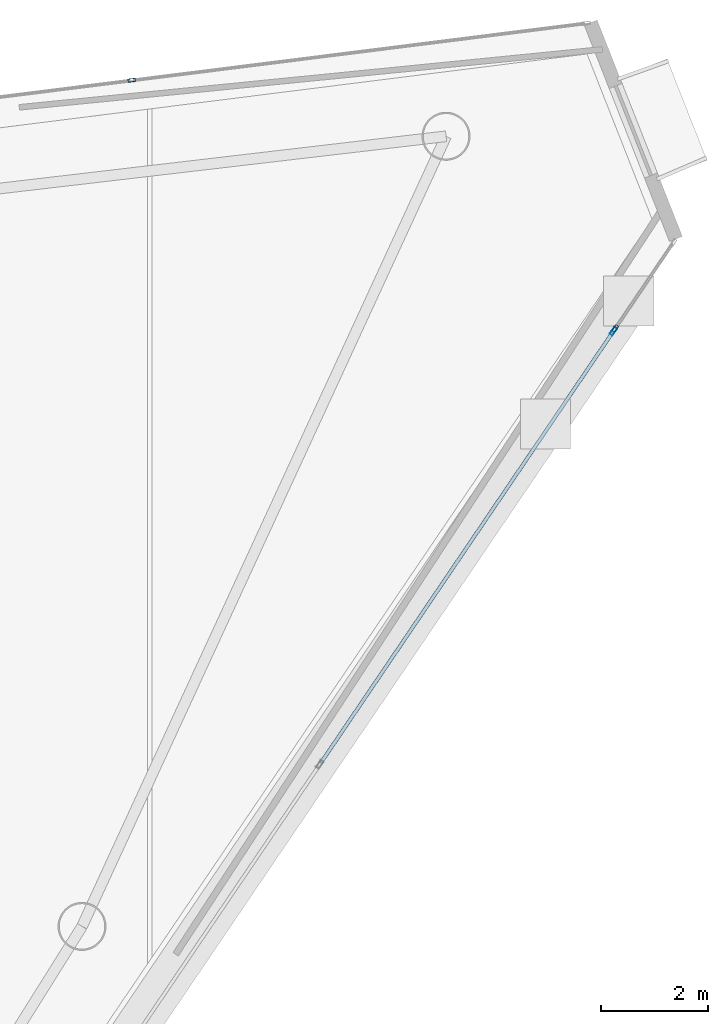
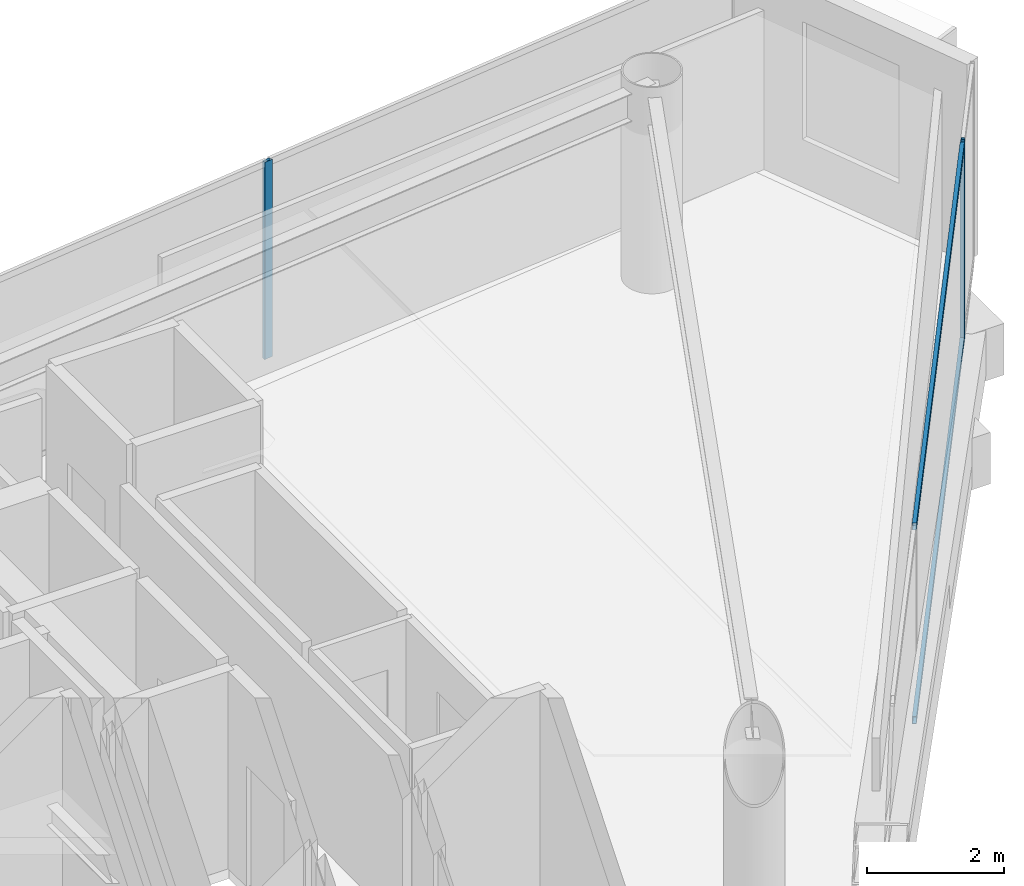
# One storey, part 16 of 23: 5 members, 3 elements without a shape of their own.
"""IFC4 building model written with IfcOpenShell, lengths in metres."""

import ifcopenshell
import ifcopenshell.guid

model = None  # the IFC model being written
_history = None  # IfcOwnerHistory: only IFC2X3 demands one
_inside = {}  # id of a spatial element -> (the spatial element, [elements in it])
_under = {}  # id of a project, library or spatial element -> (it, [spatial elements below it])
_declared = {}  # id of a project -> (the project, [libraries it declares])
_typed = {}  # id of a type object -> (the type object, [elements of that type])
_made_of = {}  # id of a material, layer set ... -> (it, [elements and type objects made of it])


def new_model(schema):
    """Start an empty IFC model of exactly this schema.

    Asked for "IFC4X3", IfcOpenShell would pick the latest addendum, in which some entities
    have other attributes; the version numbers below select the first issue.
    IFC2X3 requires an IfcOwnerHistory on every rooted entity: one is made here for all.
    """
    global model, _history
    if schema == "IFC4X3":
        model = ifcopenshell.file(schema_version=(4, 3, 0, 0))
    else:
        model = ifcopenshell.file(schema=schema)
    _inside.clear()
    _under.clear()
    _declared.clear()
    _typed.clear()
    _made_of.clear()
    _history = None
    if model.schema == "IFC2X3":
        org = make("IfcOrganization", Name="unknown")
        user = make(
            "IfcPersonAndOrganization",
            ThePerson=make("IfcPerson", FamilyName="unknown"),
            TheOrganization=org,
        )
        app = make(
            "IfcApplication",
            ApplicationDeveloper=org,
            Version="unknown",
            ApplicationFullName="unknown",
            ApplicationIdentifier="unknown",
        )
        _history = make(
            "IfcOwnerHistory",
            OwningUser=user,
            OwningApplication=app,
            ChangeAction="ADDED",
            CreationDate=0,
        )
    return model


def make(cls, **values):
    """One entity of the class cls with the attributes given. An attribute that is None is left unset."""
    return model.create_entity(
        cls, **{name: value for name, value in values.items() if value is not None}
    )


def rooted(cls, **values):
    """An entity with a GlobalId (a new one), such as an element, a storey or a relation."""
    return make(cls, GlobalId=ifcopenshell.guid.new(), OwnerHistory=_history, **values)


def si_unit(unit_type, name, prefix=None):
    """IfcSIUnit, for example si_unit("LENGTHUNIT", "METRE", prefix="MILLI")."""
    return make("IfcSIUnit", UnitType=unit_type, Prefix=prefix, Name=name)


def assignment(units):
    """IfcUnitAssignment: the units of a project."""
    return None if units is None else make("IfcUnitAssignment", Units=units)


def point(xyz):
    """IfcCartesianPoint."""
    return None if xyz is None else make("IfcCartesianPoint", Coordinates=xyz)


def direction(xyz):
    """IfcDirection."""
    return None if xyz is None else make("IfcDirection", DirectionRatios=xyz)


def frame(location, z_axis=None, x_axis=None):
    """IfcAxis2Placement3D, a coordinate frame: its origin and axes. An axis left out is left unset."""
    return make(
        "IfcAxis2Placement3D",
        Location=point(location),
        Axis=direction(z_axis),
        RefDirection=direction(x_axis),
    )


def frame_2d(location, x_axis=None):
    """IfcAxis2Placement2D, a coordinate frame in the plane: its origin and x axis."""
    return make(
        "IfcAxis2Placement2D", Location=point(location), RefDirection=direction(x_axis)
    )


def origin():
    """The frame at (0, 0, 0) with its axes left unset."""
    return frame((0.0, 0.0, 0.0))


def origin_2d():
    """The frame at (0, 0) in the plane with its x axis left unset."""
    return frame_2d((0.0, 0.0))


def place(relative_to, where):
    """IfcLocalPlacement: puts the frame where relative to a parent placement (None: the world)."""
    return make(
        "IfcLocalPlacement", PlacementRelTo=relative_to, RelativePlacement=where
    )


def context(
    kind, dimensions, precision=None, world=None, true_north=None, identifier=None
):
    """IfcGeometricRepresentationContext, for example the 3D "Model" context."""
    return make(
        "IfcGeometricRepresentationContext",
        ContextIdentifier=identifier,
        ContextType=kind,
        CoordinateSpaceDimension=dimensions,
        Precision=precision,
        WorldCoordinateSystem=world,
        TrueNorth=true_north,
    )


def subcontext(parent, identifier, kind, view, scale=None):
    """IfcGeometricRepresentationSubContext, for example "Body" below "Model"."""
    return make(
        "IfcGeometricRepresentationSubContext",
        ContextIdentifier=identifier,
        ContextType=kind,
        ParentContext=parent,
        TargetScale=scale,
        TargetView=view,
    )


def project(units=None, contexts=None):
    """IfcProject with its units and contexts."""
    return rooted(
        "IfcProject",
        Name="project",
        RepresentationContexts=contexts,
        UnitsInContext=assignment(units),
    )


def spatial(cls, under=None, at=None, **own):
    """A site, building, storey or space (cls), placed at a placement, below another one or the project."""
    s = rooted(cls, ObjectPlacement=at, **own)
    if under is not None:
        _under.setdefault(under.id(), (under, []))[1].append(s)
    return s


def profile(cls, at=None, kind="AREA", **sizes):
    """A parametric profile (cls). Its sizes go by their IFC names, for example OverallWidth=200.0."""
    return make(cls, ProfileType=kind, Position=at, **sizes)


def hollow_rectangle(**sizes):
    """IfcRectangleHollowProfileDef."""
    return profile("IfcRectangleHollowProfileDef", **sizes)


def extrude(swept, where, along, depth):
    """IfcExtrudedAreaSolid: the profile swept, set in the frame where, extruded along a direction by depth."""
    return make(
        "IfcExtrudedAreaSolid",
        SweptArea=swept,
        Position=where,
        ExtrudedDirection=direction(along),
        Depth=depth,
    )


def shape(context_of_items, identifier, shape_type, items):
    """IfcShapeRepresentation: the items that make up one representation, for example the "Body"."""
    return make(
        "IfcShapeRepresentation",
        ContextOfItems=context_of_items,
        RepresentationIdentifier=identifier,
        RepresentationType=shape_type,
        Items=items,
    )


def material(Name=None, Category=None):
    """IfcMaterial."""
    return make("IfcMaterial", Name=Name, Category=Category)


def layer(
    of_material, thickness, ventilated=None, Name=None, Category=None, Priority=None
):
    """IfcMaterialLayer: one layer of a wall or slab, of a material (None: an air gap)."""
    return make(
        "IfcMaterialLayer",
        Material=of_material,
        LayerThickness=thickness,
        IsVentilated=ventilated,
        Name=Name,
        Category=Category,
        Priority=Priority,
    )


def layer_set(layers, Name=None):
    """IfcMaterialLayerSet."""
    return make("IfcMaterialLayerSet", MaterialLayers=layers, LayerSetName=Name)


def material_profile(
    of_material, cross_section, Name=None, Category=None, Priority=None
):
    """IfcMaterialProfile: a cross section and its material."""
    return make(
        "IfcMaterialProfile",
        Name=Name,
        Material=of_material,
        Profile=cross_section,
        Priority=Priority,
        Category=Category,
    )


def profile_set(profiles, Name=None, composite=None):
    """IfcMaterialProfileSet."""
    return make(
        "IfcMaterialProfileSet",
        Name=Name,
        MaterialProfiles=profiles,
        CompositeProfile=composite,
    )


def made_of(thing, what):
    """Note that an element or type object is made of a material, layer set ...; save() writes the relation."""
    if what is not None:
        _made_of.setdefault(what.id(), (what, []))[1].append(thing)
    return thing


def type_object(cls, material=None, **own):
    """A type object (cls), such as IfcWallType, which elements share."""
    return made_of(rooted(cls, **own), material)


def element(
    cls,
    number,
    at=None,
    inside=None,
    cuts=None,
    type_object=None,
    material=None,
    context=None,
    identifier="Body",
    shape_type=None,
    held_by="IfcProductDefinitionShape",
    body=None,
    shapes=None,
    **own,
):
    """One element of the class cls, such as IfcWall. Its Tag is "e" and its number.

    at: its placement. inside: the storey or other place that contains it. cuts: it is an
    opening in that element (IfcRelVoidsElement). A single representation is given by context,
    identifier, shape_type and body (its items); several are given by shapes. held_by: the class
    of the entity that holds the representations. save() writes the other relations.
    """
    e = rooted(cls, Tag="e%d" % number, ObjectPlacement=at, **own)
    if body is not None:
        shapes = [shape(context, identifier, shape_type, body)]
    if shapes is not None:
        e.Representation = make(held_by, Representations=shapes)
    if inside is not None:
        _inside.setdefault(inside.id(), (inside, []))[1].append(e)
    if cuts is not None:
        rooted(
            "IfcRelVoidsElement", RelatingBuildingElement=cuts, RelatedOpeningElement=e
        )
    if type_object is not None:
        _typed.setdefault(type_object.id(), (type_object, []))[1].append(e)
    return made_of(e, material)


def aggregate(whole, parts):
    """IfcRelAggregates: a whole, such as a stair, and the parts it consists of."""
    return rooted("IfcRelAggregates", RelatingObject=whole, RelatedObjects=parts)


def save(model, path):
    """Write the relations noted so far, then the file.

    IfcRelAggregates (storeys below a building ...), IfcRelContainedInSpatialStructure (elements
    in a storey), IfcRelDefinesByType, IfcRelAssociatesMaterial and IfcRelDeclares: one each for
    every whole, place, type object, material and project.
    """
    for whole, parts in _under.values():
        aggregate(whole, parts)
    for where, things in _inside.values():
        rooted(
            "IfcRelContainedInSpatialStructure",
            RelatedElements=things,
            RelatingStructure=where,
        )
    for kind, things in _typed.values():
        rooted("IfcRelDefinesByType", RelatedObjects=things, RelatingType=kind)
    for what, things in _made_of.values():
        rooted("IfcRelAssociatesMaterial", RelatedObjects=things, RelatingMaterial=what)
    for by, libraries in _declared.values():
        rooted("IfcRelDeclares", RelatingContext=by, RelatedDefinitions=libraries)
    model.write(path)


model = new_model("IFC4")

# Units and contexts
model_context = context("Model", 3, precision=1e-05, world=origin(), true_north=direction((0.0, 1.0)))
body_context = subcontext(model_context, "Body", "Model", "MODEL_VIEW")
ifc_project = project(units=[si_unit("LENGTHUNIT", "METRE"), si_unit("AREAUNIT", "SQUARE_METRE"), si_unit("VOLUMEUNIT", "CUBIC_METRE"), si_unit("PLANEANGLEUNIT", "RADIAN"), si_unit("MASSUNIT", "GRAM", prefix="KILO")], contexts=[model_context])

# Site, building, storey
site_placement = place(None, origin())
site = spatial("IfcSite", under=ifc_project, at=site_placement, CompositionType="ELEMENT")
building_placement = place(site_placement, origin())
building = spatial("IfcBuilding", under=site, at=building_placement, Name="Qianvela Tower", CompositionType="ELEMENT")
storey_placement = place(building_placement, frame((0.0, 0.0, 284.300048828125)))
storey = spatial("IfcBuildingStorey", under=building, at=storey_placement, Name="L73", CompositionType="ELEMENT", Elevation=284.300048828125)

# Curtain wall, members
ifc_material_1 = material(Name="Anodised Architectural Aluminium and Insulated Spandrel Panel", Category="aluminium")
ifc_layer_1 = layer(ifc_material_1, 0.179931640625)
ifc_layer_set_1 = layer_set([ifc_layer_1], Name="Anodised Architectural Aluminium and Insulated Spandrel Panel")
curtain_wall_type_1 = type_object("IfcCurtainWallType", Name="CW-BRACEBAY", PredefinedType="USERDEFINED", material=ifc_layer_set_1)
curtain_wall_1_placement = place(storey_placement, origin())
curtain_wall_1 = element("IfcCurtainWall", 1, at=curtain_wall_1_placement, inside=storey, type_object=curtain_wall_type_1, Name="L73 CW-BRACEBAY Curtain Wall 06B", ObjectType="CURTAIN_WALL_SYSTEM", PredefinedType="USERDEFINED")
ifc_material_2 = material(Name="Anodised Architectural Aluminium 6063-T6", Category="aluminium")
ifc_material_profile_1 = material_profile(ifc_material_2, hollow_rectangle(XDim=0.06494140625, YDim=0.159912109375, WallThickness=0.0048828125, at=origin_2d()), Name="ALU-MULL-65x160")
ifc_profile_set_1 = profile_set([ifc_material_profile_1], Name="Anodised Architectural Aluminium 6063-T6")
member_type_1 = type_object("IfcMemberType", Name="CW-BRACEBAY-MULL", PredefinedType="MULLION", material=ifc_profile_set_1)
member_1_placement = place(storey_placement, frame((55.780029296875, 33.4853515625, 0.0), z_axis=(0.0, 0.0, 1.0), x_axis=(-0.827794797098, 0.561030991922, 0.0)))
member_1 = element("IfcMember", 2, at=member_1_placement, type_object=member_type_1, Name="CW-9 mullion 4", PredefinedType="MULLION", context=body_context, shape_type="SweptSolid", body=[
    extrude(hollow_rectangle(XDim=0.06494140625, YDim=0.159912109375, WallThickness=0.0048828125, at=origin_2d()), origin(), (0.0, 0.0, 1.0), 3.52001953125),
])
ifc_material_3 = material(Name="Anodised Architectural Aluminium 6063-T6", Category="aluminium")
ifc_material_profile_2 = material_profile(ifc_material_3, hollow_rectangle(XDim=0.06494140625, YDim=0.1298828125, WallThickness=0.00439453125, at=origin_2d()), Name="ALU-TRAN-65x130")
ifc_profile_set_2 = profile_set([ifc_material_profile_2], Name="Anodised Architectural Aluminium 6063-T6")
member_type_2 = type_object("IfcMemberType", Name="CW-BRACEBAY-TRAN", PredefinedType="USERDEFINED", material=ifc_profile_set_2)
member_2_placement = place(storey_placement, frame((50.303466796875, 25.40478515625, 0.032470703125), z_axis=(0.561025132306, 0.827798768373, 0.0), x_axis=(-0.827798768373, 0.561025132306, 0.0)))
member_2 = element("IfcMember", 3, at=member_2_placement, type_object=member_type_2, Name="CW-9 transom 3.1", ObjectType="TRANSOM", PredefinedType="USERDEFINED", context=body_context, shape_type="SweptSolid", body=[
    extrude(hollow_rectangle(XDim=0.06494140625, YDim=0.1298828125, WallThickness=0.00439453125, at=origin_2d()), origin(), (0.0, 0.0, 1.0), 9.72900390625),
])
member_3_placement = place(storey_placement, frame((50.303466796875, 25.40478515625, 3.487548828125), z_axis=(0.561025132306, 0.827798768373, 0.0), x_axis=(-0.827798768373, 0.561025132306, 0.0)))
member_3 = element("IfcMember", 4, at=member_3_placement, type_object=member_type_2, Name="CW-9 transom 3.2", ObjectType="TRANSOM", PredefinedType="USERDEFINED", context=body_context, shape_type="SweptSolid", body=[
    extrude(hollow_rectangle(XDim=0.06494140625, YDim=0.1298828125, WallThickness=0.00439453125, at=origin_2d()), origin(), (0.0, 0.0, 1.0), 9.72900390625),
])
aggregate(curtain_wall_1, [member_1, member_2, member_3])

# Curtain wall, member
ifc_material_4 = material(Name="Anodised Architectural Aluminium and Low-E Glass", Category="aluminium")
ifc_layer_2 = layer(ifc_material_4, 0.14990234375)
ifc_layer_set_2 = layer_set([ifc_layer_2], Name="Anodised Architectural Aluminium and Low-E Glass")
curtain_wall_type_2 = type_object("IfcCurtainWallType", Name="CW-COLIV-Z78", PredefinedType="USERDEFINED", material=ifc_layer_set_2)
curtain_wall_2_placement = place(storey_placement, origin())
curtain_wall_2 = element("IfcCurtainWall", 5, at=curtain_wall_2_placement, inside=storey, type_object=curtain_wall_type_2, Name="L73 CW-COLIV-Z78 Curtain Wall 02A", ObjectType="CURTAIN_WALL_SYSTEM", PredefinedType="USERDEFINED")
ifc_material_5 = material(Name="Anodised Architectural Aluminium 6063-T6", Category="aluminium")
ifc_material_profile_3 = material_profile(ifc_material_5, hollow_rectangle(XDim=0.06005859375, YDim=0.139892578125, WallThickness=0.00439453125, at=origin_2d()), Name="ALU-MULL-60x140")
ifc_profile_set_3 = profile_set([ifc_material_profile_3], Name="Anodised Architectural Aluminium 6063-T6")
member_type_3 = type_object("IfcMemberType", Name="CW-COLIV-Z78-MULL", PredefinedType="MULLION", material=ifc_profile_set_3)
member_4_placement = place(storey_placement, frame((46.762939453125, 38.18359375, 0.0), z_axis=(0.0, 0.0, 1.0), x_axis=(0.124761582312, -0.992186750354, 0.0)))
member_4 = element("IfcMember", 6, at=member_4_placement, type_object=member_type_3, Name="CW-6 mullion 2", PredefinedType="MULLION", context=body_context, shape_type="SweptSolid", body=[
    extrude(hollow_rectangle(XDim=0.06005859375, YDim=0.139892578125, WallThickness=0.00439453125, at=origin_2d()), origin(), (0.0, 0.0, 1.0), 3.52001953125),
])
aggregate(curtain_wall_2, [member_4])

curtain_wall_3_placement = place(storey_placement, origin())
curtain_wall_3 = element("IfcCurtainWall", 7, at=curtain_wall_3_placement, inside=storey, type_object=curtain_wall_type_2, Name="L73 CW-COLIV-Z78 Curtain Wall 06C", ObjectType="CURTAIN_WALL_SYSTEM", PredefinedType="USERDEFINED")
member_5_placement = place(storey_placement, frame((55.815185546875, 33.537109375, 0.0), z_axis=(0.0, 0.0, 1.0), x_axis=(-0.827812563122, 0.561004777465, 0.0)))
member_5 = element("IfcMember", 8, at=member_5_placement, type_object=member_type_3, Name="CW-6 mullion 1", PredefinedType="MULLION", context=body_context, shape_type="SweptSolid", body=[
    extrude(hollow_rectangle(XDim=0.06005859375, YDim=0.139892578125, WallThickness=0.00439453125, at=origin_2d()), origin(), (0.0, 0.0, 1.0), 3.52001953125),
])
aggregate(curtain_wall_3, [member_5])

save(model, "model.ifc")
